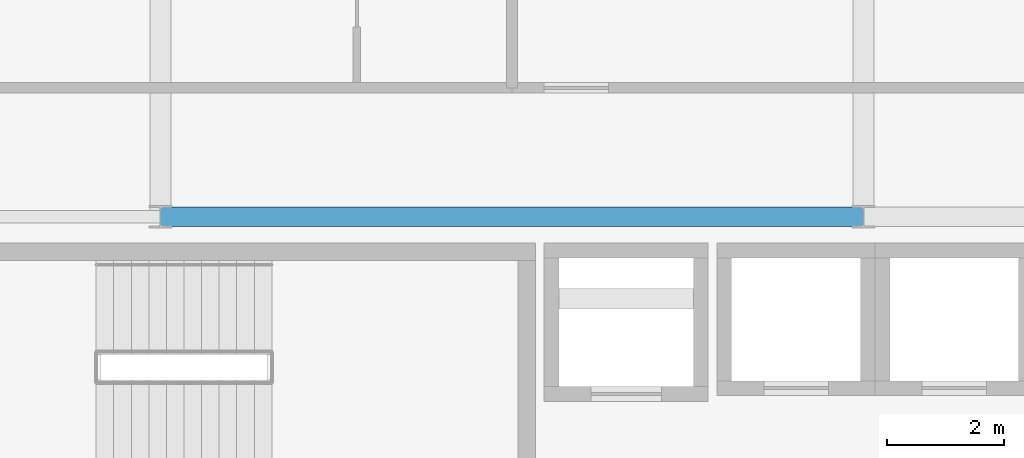
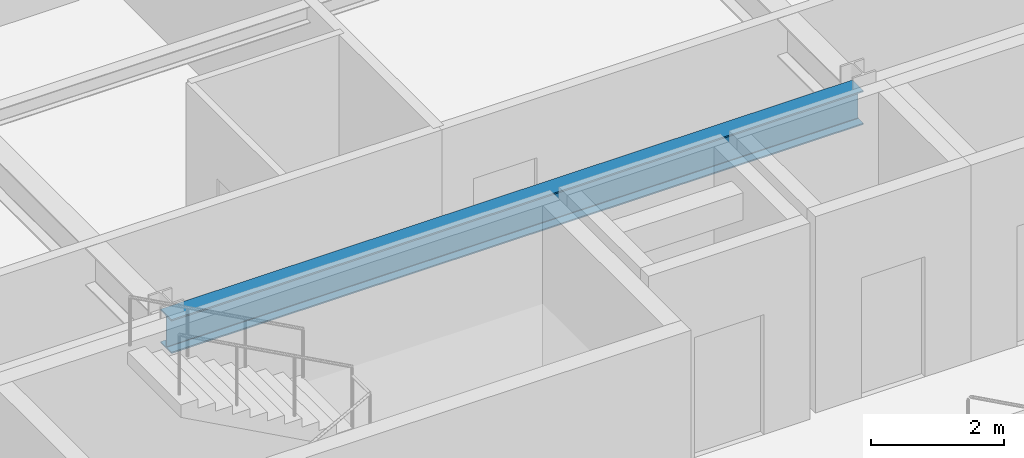
# One storey, part 7 of 24: 1 beam.
"""IFC4 building model written with IfcOpenShell, lengths in metres."""

from ifc_helpers import new_model, si_unit, direction, frame, origin, origin_2d, place, context, subcontext, project, spatial, i_section, extrude, material, material_profile, profile_set, type_object, element, save


model = new_model("IFC4")

# Units and contexts
model_context = context("Model", 3, precision=1e-05, world=origin(), true_north=direction((0.0, 1.0)))
body_context = subcontext(model_context, "Body", "Model", "MODEL_VIEW")
ifc_project = project(units=[si_unit("LENGTHUNIT", "METRE"), si_unit("AREAUNIT", "SQUARE_METRE"), si_unit("VOLUMEUNIT", "CUBIC_METRE"), si_unit("PLANEANGLEUNIT", "RADIAN"), si_unit("MASSUNIT", "GRAM", prefix="KILO")], contexts=[model_context])

# Site, building, storey
site_placement = place(None, origin())
site = spatial("IfcSite", under=ifc_project, at=site_placement, CompositionType="ELEMENT")
building_placement = place(site_placement, origin())
building = spatial("IfcBuilding", under=site, at=building_placement, Name="Kaldorvane Square Convention Centre", CompositionType="ELEMENT")
storey_placement = place(building_placement, frame((0.0, 0.0, 60.0)))
storey = spatial("IfcBuildingStorey", under=building, at=storey_placement, Name="L14", CompositionType="ELEMENT", Elevation=60.0)

# Beam
ifc_material = material(Name="Steel ASTM A992 Gr. 50", Category="steel")
ifc_material_profile = material_profile(ifc_material, i_section(OverallWidth=0.326507568359375, OverallDepth=0.621795654296875, WebThickness=0.0153961181640625, FlangeThickness=0.0243988037109375, FilletRadius=0.0126953125, at=origin_2d()), Name="W24X131")
ifc_profile_set = profile_set([ifc_material_profile], Name="Steel ASTM A992 Gr. 50")
beam_type = type_object("IfcBeamType", Name="BM-GR-W24X131", PredefinedType="BEAM", material=ifc_profile_set)
beam_placement = place(storey_placement, frame((42.0, 105.0, 2.97509765625), z_axis=(1.0, 0.0, 0.0), x_axis=(0.0, 1.0, 0.0)))
element("IfcBeam", 1, at=beam_placement, inside=storey, type_object=beam_type, Name="Primary Girder (L14)", PredefinedType="BEAM", context=body_context, shape_type="SweptSolid", body=[
    extrude(i_section(OverallWidth=0.326507568359375, OverallDepth=0.621795654296875, WebThickness=0.0153961181640625, FlangeThickness=0.0243988037109375, FilletRadius=0.0126953125, at=origin_2d()), origin(), (0.0, 0.0, 1.0), 12.0),
])

save(model, "model.ifc")
